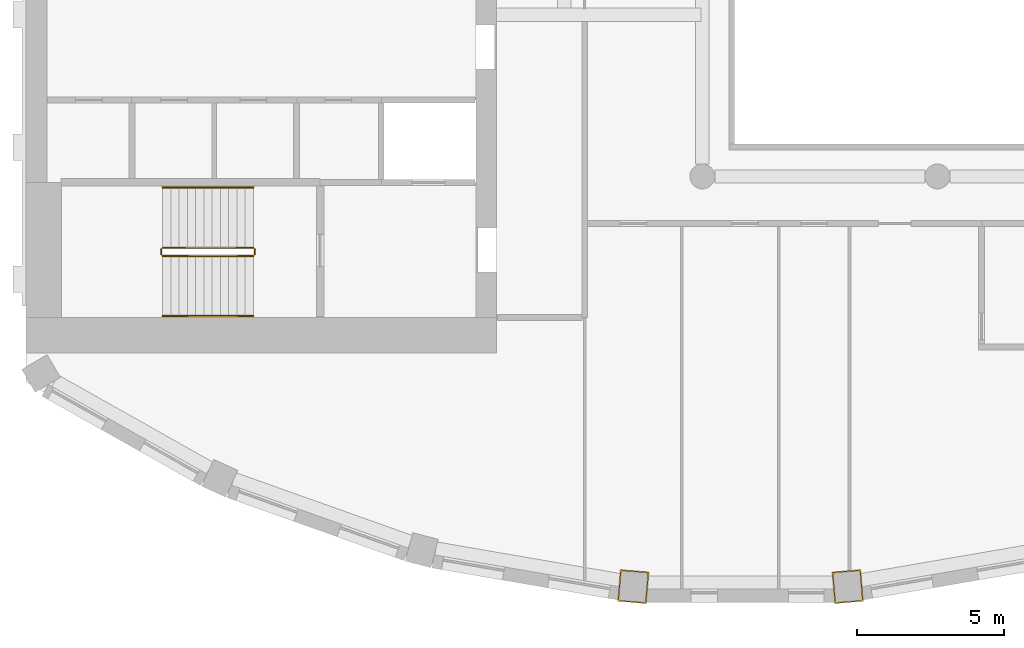
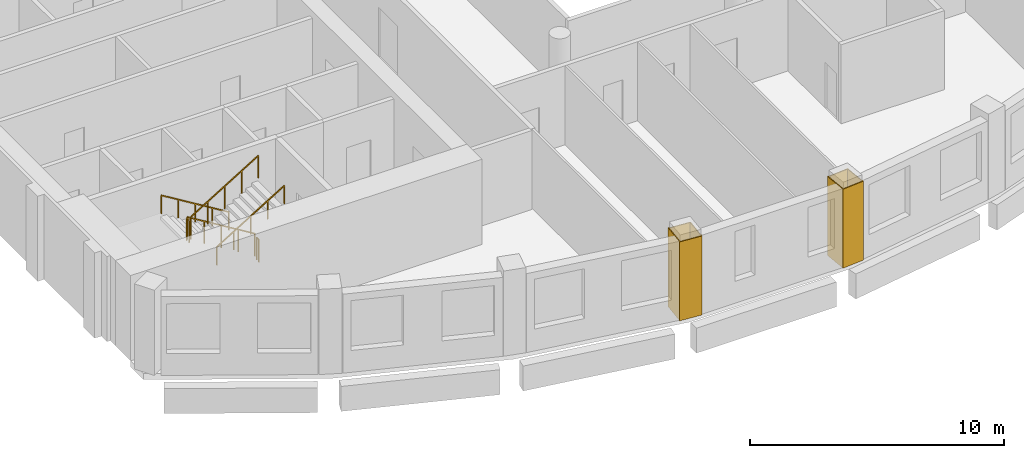
# One storey, part 10 of 14: 6 railings, 2 coverings.
"""IFC4 building model written with IfcOpenShell, lengths in metres."""

from ifc_helpers import new_model, si_unit, direction, frame, origin, origin_2d, place, context, subcontext, project, spatial, polyline, rectangle, outline, extrude, material, layer, layer_set, type_object, element, save


model = new_model("IFC4")

# Units and contexts
model_context = context("Model", 3, precision=1e-05, world=origin(), true_north=direction((0.0, 1.0)))
body_context = subcontext(model_context, "Body", "Model", "MODEL_VIEW")
ifc_project = project(units=[si_unit("LENGTHUNIT", "METRE"), si_unit("AREAUNIT", "SQUARE_METRE"), si_unit("VOLUMEUNIT", "CUBIC_METRE"), si_unit("PLANEANGLEUNIT", "RADIAN"), si_unit("MASSUNIT", "GRAM", prefix="KILO")], contexts=[model_context])

# Site, building, storey
site_placement = place(None, origin())
site = spatial("IfcSite", under=ifc_project, at=site_placement, CompositionType="ELEMENT")
building_placement = place(site_placement, origin())
building = spatial("IfcBuilding", under=site, at=building_placement, Name="Cypress Arch Tower", CompositionType="ELEMENT")
storey_placement = place(building_placement, frame((0.0, 0.0, 296.699951171875)))
storey = spatial("IfcBuildingStorey", under=building, at=storey_placement, Name="L67", CompositionType="ELEMENT", Elevation=296.699951171875)

# Coverings
ifc_material_1 = material(Name="Painted plasterboard column casing")
ifc_layer = layer(ifc_material_1, 0.0400390625)
ifc_layer_set = layer_set([ifc_layer], Name="Column casing CK40")
covering_type = type_object("IfcCoveringType", Name="Column casing CK40", PredefinedType="CLADDING", material=ifc_layer_set)
covering_1_placement = place(storey_placement, origin())
element("IfcCovering", 1, at=covering_1_placement, inside=storey, type_object=covering_type, Name="Column casing L67 CC14", PredefinedType="CLADDING", context=body_context, shape_type="SweptSolid", body=[
    extrude(outline(polyline([(-9.881103515625, -24.44970703125), (-9.789306640625, -23.373779296875), (-8.812744140625, -23.457275390625), (-8.90478515625, -24.533203125), (-9.881103515625, -24.44970703125)]), holes=[polyline([(-9.837890625, -24.413330078125), (-8.941162109375, -24.489990234375), (-8.85595703125, -23.49365234375), (-9.752685546875, -23.4169921875), (-9.837890625, -24.413330078125)])]), origin(), (0.0, 0.0, 1.0), 3.800048828125),
])
covering_2_placement = place(storey_placement, origin())
element("IfcCovering", 2, at=covering_2_placement, inside=storey, type_object=covering_type, Name="Column casing L67 CC15", PredefinedType="CLADDING", context=body_context, shape_type="SweptSolid", body=[
    extrude(outline(polyline([(-2.495361328125, -24.533203125), (-2.587158203125, -23.457275390625), (-1.61083984375, -23.373779296875), (-1.518798828125, -24.44970703125), (-2.495361328125, -24.533203125)]), holes=[polyline([(-2.458740234375, -24.489990234375), (-1.56201171875, -24.413330078125), (-1.647216796875, -23.4169921875), (-2.5439453125, -23.49365234375), (-2.458740234375, -24.489990234375)])]), origin(), (0.0, 0.0, 1.0), 3.800048828125),
])

# Railings
ifc_material_2 = material(Name="Black powder-coated steel square bar 48 mm", Category="steel")
railing_type_1 = type_object("IfcRailingType", Name="Stair handrail HR1", PredefinedType="HANDRAIL", material=ifc_material_2)
railing_1_placement = place(storey_placement, frame((-22.27490234375, -10.375, 0.1708984375)))
element("IfcRailing", 3, at=railing_1_placement, inside=storey, type_object=railing_type_1, Name="L67 A stair handrail 1", PredefinedType="HANDRAIL", context=body_context, shape_type="SweptSolid", body=[
    extrude(rectangle(XDim=0.048095703125, YDim=0.048095703125, at=origin_2d()), frame((0.0, 0.0, 0.8759765625), z_axis=(-0.853666305674, 0.0, 0.52082035152), x_axis=(0.0, -1.0, 0.0)), (0.0, 0.0, 1.0), 3.608154296875),
    extrude(rectangle(XDim=0.0419921875, YDim=0.0419921875, at=origin_2d()), origin(), (0.0, 0.0, 1.0), 0.851806640625),
    extrude(rectangle(XDim=0.0419921875, YDim=0.0419921875, at=origin_2d()), frame((-0.77001953125, 0.0, 0.4697265625)), (0.0, 0.0, 1.0), 0.851806640625),
    extrude(rectangle(XDim=0.0419921875, YDim=0.0419921875, at=origin_2d()), frame((-1.5400390625, 0.0, 0.939453125)), (0.0, 0.0, 1.0), 0.851806640625),
    extrude(rectangle(XDim=0.0419921875, YDim=0.0419921875, at=origin_2d()), frame((-2.31005859375, 0.0, 1.409423828125)), (0.0, 0.0, 1.0), 0.851806640625),
    extrude(rectangle(XDim=0.0419921875, YDim=0.0419921875, at=origin_2d()), frame((-3.080078125, 0.0, 1.879150390625)), (0.0, 0.0, 1.0), 0.851806640625),
])
railing_2_placement = place(storey_placement, frame((-25.35498046875, -14.75, 2.220947265625)))
element("IfcRailing", 4, at=railing_2_placement, inside=storey, type_object=railing_type_1, Name="L67 A stair handrail 2", PredefinedType="HANDRAIL", context=body_context, shape_type="SweptSolid", body=[
    extrude(rectangle(XDim=0.048095703125, YDim=0.048095703125, at=origin_2d()), frame((0.0, 0.0, 0.8759765625), z_axis=(0.853666305674, 0.0, 0.52082035152), x_axis=(0.0, 1.0, 0.0)), (0.0, 0.0, 1.0), 3.608154296875),
    extrude(rectangle(XDim=0.0419921875, YDim=0.0419921875, at=origin_2d()), origin(), (0.0, 0.0, 1.0), 0.851806640625),
    extrude(rectangle(XDim=0.0419921875, YDim=0.0419921875, at=origin_2d()), frame((0.77001953125, 0.0, 0.4697265625)), (0.0, 0.0, 1.0), 0.851806640625),
    extrude(rectangle(XDim=0.0419921875, YDim=0.0419921875, at=origin_2d()), frame((1.5400390625, 0.0, 0.939453125)), (0.0, 0.0, 1.0), 0.851806640625),
    extrude(rectangle(XDim=0.0419921875, YDim=0.0419921875, at=origin_2d()), frame((2.31005859375, 0.0, 1.409423828125)), (0.0, 0.0, 1.0), 0.851806640625),
    extrude(rectangle(XDim=0.0419921875, YDim=0.0419921875, at=origin_2d()), frame((3.080078125, 0.0, 1.879150390625)), (0.0, 0.0, 1.0), 0.851806640625),
])
ifc_material_3 = material(Name="Black powder-coated steel balusters", Category="steel")
railing_type_2 = type_object("IfcRailingType", Name="Stair well guard G1", PredefinedType="GUARDRAIL", material=ifc_material_3)
railing_3_placement = place(storey_placement, frame((-22.27490234375, -12.425048828125, 0.1708984375)))
element("IfcRailing", 5, at=railing_3_placement, inside=storey, type_object=railing_type_2, Name="L67 A stair guard 1", PredefinedType="GUARDRAIL", context=body_context, shape_type="SweptSolid", body=[
    extrude(rectangle(XDim=0.048095703125, YDim=0.048095703125, at=origin_2d()), frame((0.0, 0.0, 1.076171875), z_axis=(-0.853666305674, 0.0, 0.52082035152), x_axis=(0.0, -1.0, 0.0)), (0.0, 0.0, 1.0), 3.608154296875),
    extrude(rectangle(XDim=0.0419921875, YDim=0.0419921875, at=origin_2d()), origin(), (0.0, 0.0, 1.0), 1.052001953125),
    extrude(rectangle(XDim=0.0419921875, YDim=0.0419921875, at=origin_2d()), frame((-0.77001953125, 0.0, 0.4697265625)), (0.0, 0.0, 1.0), 1.052001953125),
    extrude(rectangle(XDim=0.0419921875, YDim=0.0419921875, at=origin_2d()), frame((-1.5400390625, 0.0, 0.939453125)), (0.0, 0.0, 1.0), 1.052001953125),
    extrude(rectangle(XDim=0.0419921875, YDim=0.0419921875, at=origin_2d()), frame((-2.31005859375, 0.0, 1.409423828125)), (0.0, 0.0, 1.0), 1.052001953125),
    extrude(rectangle(XDim=0.0419921875, YDim=0.0419921875, at=origin_2d()), frame((-3.080078125, 0.0, 1.879150390625)), (0.0, 0.0, 1.0), 1.052001953125),
])
railing_4_placement = place(storey_placement, frame((-25.405029296875, -12.47509765625, 2.050048828125)))
element("IfcRailing", 6, at=railing_4_placement, inside=storey, type_object=railing_type_2, Name="L67 A stair guard 2", PredefinedType="GUARDRAIL", context=body_context, shape_type="SweptSolid", body=[
    extrude(rectangle(XDim=0.048095703125, YDim=0.048095703125, at=origin_2d()), frame((0.0, 0.0, 1.076171875), z_axis=(0.0, -1.0, 0.0), x_axis=(1.0, 0.0, 0.0)), (0.0, 0.0, 1.0), 0.1748046875),
    extrude(rectangle(XDim=0.0419921875, YDim=0.0419921875, at=origin_2d()), origin(), (0.0, 0.0, 1.0), 1.052001953125),
    extrude(rectangle(XDim=0.0419921875, YDim=0.0419921875, at=origin_2d()), frame((0.0, -0.1748046875, 0.0)), (0.0, 0.0, 1.0), 1.052001953125),
])
railing_5_placement = place(storey_placement, frame((-25.35498046875, -12.699951171875, 2.220947265625)))
element("IfcRailing", 7, at=railing_5_placement, inside=storey, type_object=railing_type_2, Name="L67 A stair guard 3", PredefinedType="GUARDRAIL", context=body_context, shape_type="SweptSolid", body=[
    extrude(rectangle(XDim=0.048095703125, YDim=0.048095703125, at=origin_2d()), frame((0.0, 0.0, 1.076171875), z_axis=(0.853666305674, 0.0, 0.52082035152), x_axis=(0.0, 1.0, 0.0)), (0.0, 0.0, 1.0), 3.608154296875),
    extrude(rectangle(XDim=0.0419921875, YDim=0.0419921875, at=origin_2d()), origin(), (0.0, 0.0, 1.0), 1.052001953125),
    extrude(rectangle(XDim=0.0419921875, YDim=0.0419921875, at=origin_2d()), frame((0.77001953125, 0.0, 0.4697265625)), (0.0, 0.0, 1.0), 1.052001953125),
    extrude(rectangle(XDim=0.0419921875, YDim=0.0419921875, at=origin_2d()), frame((1.5400390625, 0.0, 0.939453125)), (0.0, 0.0, 1.0), 1.052001953125),
    extrude(rectangle(XDim=0.0419921875, YDim=0.0419921875, at=origin_2d()), frame((2.31005859375, 0.0, 1.409423828125)), (0.0, 0.0, 1.0), 1.052001953125),
    extrude(rectangle(XDim=0.0419921875, YDim=0.0419921875, at=origin_2d()), frame((3.080078125, 0.0, 1.879150390625)), (0.0, 0.0, 1.0), 1.052001953125),
])
railing_6_placement = place(storey_placement, frame((-22.22509765625, -12.47509765625, 0.0)))
element("IfcRailing", 8, at=railing_6_placement, inside=storey, type_object=railing_type_2, Name="L67 A stair guard 4", PredefinedType="GUARDRAIL", context=body_context, shape_type="SweptSolid", body=[
    extrude(rectangle(XDim=0.048095703125, YDim=0.048095703125, at=origin_2d()), frame((0.0, 0.0, 1.076171875), z_axis=(0.0, -1.0, 0.0), x_axis=(1.0, 0.0, 0.0)), (0.0, 0.0, 1.0), 0.1748046875),
    extrude(rectangle(XDim=0.0419921875, YDim=0.0419921875, at=origin_2d()), origin(), (0.0, 0.0, 1.0), 1.052001953125),
    extrude(rectangle(XDim=0.0419921875, YDim=0.0419921875, at=origin_2d()), frame((0.0, -0.1748046875, 0.0)), (0.0, 0.0, 1.0), 1.052001953125),
])

save(model, "model.ifc")
